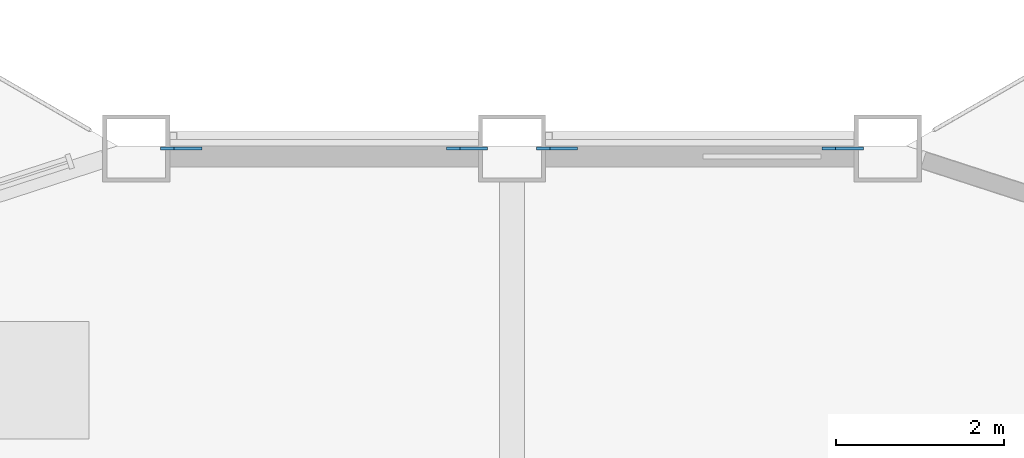
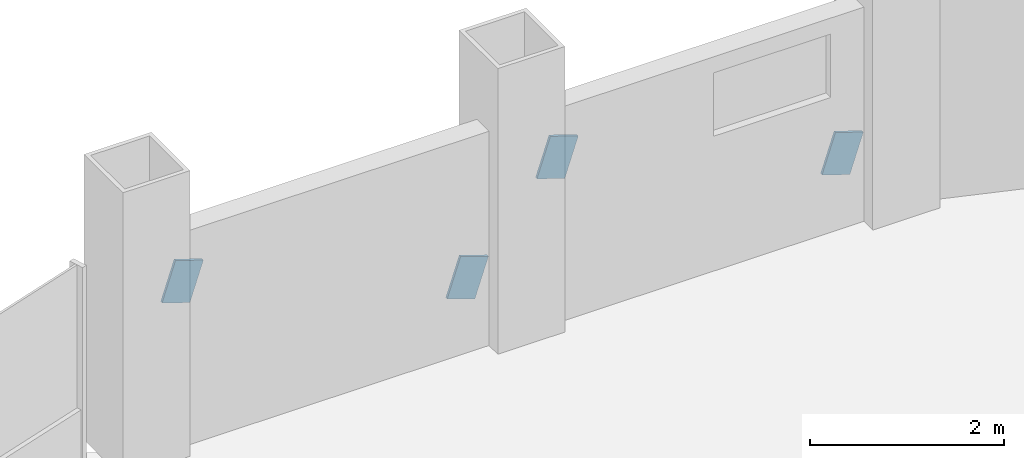
# One storey, part 19 of 24: 4 discrete accessories.
"""IFC4 building model written with IfcOpenShell, lengths in metres."""

import ifcopenshell
import ifcopenshell.guid

model = None  # the IFC model being written
_history = None  # IfcOwnerHistory: only IFC2X3 demands one
_inside = {}  # id of a spatial element -> (the spatial element, [elements in it])
_under = {}  # id of a project, library or spatial element -> (it, [spatial elements below it])
_declared = {}  # id of a project -> (the project, [libraries it declares])
_typed = {}  # id of a type object -> (the type object, [elements of that type])
_made_of = {}  # id of a material, layer set ... -> (it, [elements and type objects made of it])


def new_model(schema):
    """Start an empty IFC model of exactly this schema.

    Asked for "IFC4X3", IfcOpenShell would pick the latest addendum, in which some entities
    have other attributes; the version numbers below select the first issue.
    IFC2X3 requires an IfcOwnerHistory on every rooted entity: one is made here for all.
    """
    global model, _history
    if schema == "IFC4X3":
        model = ifcopenshell.file(schema_version=(4, 3, 0, 0))
    else:
        model = ifcopenshell.file(schema=schema)
    _inside.clear()
    _under.clear()
    _declared.clear()
    _typed.clear()
    _made_of.clear()
    _history = None
    if model.schema == "IFC2X3":
        org = make("IfcOrganization", Name="unknown")
        user = make(
            "IfcPersonAndOrganization",
            ThePerson=make("IfcPerson", FamilyName="unknown"),
            TheOrganization=org,
        )
        app = make(
            "IfcApplication",
            ApplicationDeveloper=org,
            Version="unknown",
            ApplicationFullName="unknown",
            ApplicationIdentifier="unknown",
        )
        _history = make(
            "IfcOwnerHistory",
            OwningUser=user,
            OwningApplication=app,
            ChangeAction="ADDED",
            CreationDate=0,
        )
    return model


def make(cls, **values):
    """One entity of the class cls with the attributes given. An attribute that is None is left unset."""
    return model.create_entity(
        cls, **{name: value for name, value in values.items() if value is not None}
    )


def rooted(cls, **values):
    """An entity with a GlobalId (a new one), such as an element, a storey or a relation."""
    return make(cls, GlobalId=ifcopenshell.guid.new(), OwnerHistory=_history, **values)


def si_unit(unit_type, name, prefix=None):
    """IfcSIUnit, for example si_unit("LENGTHUNIT", "METRE", prefix="MILLI")."""
    return make("IfcSIUnit", UnitType=unit_type, Prefix=prefix, Name=name)


def assignment(units):
    """IfcUnitAssignment: the units of a project."""
    return None if units is None else make("IfcUnitAssignment", Units=units)


def point(xyz):
    """IfcCartesianPoint."""
    return None if xyz is None else make("IfcCartesianPoint", Coordinates=xyz)


def direction(xyz):
    """IfcDirection."""
    return None if xyz is None else make("IfcDirection", DirectionRatios=xyz)


def frame(location, z_axis=None, x_axis=None):
    """IfcAxis2Placement3D, a coordinate frame: its origin and axes. An axis left out is left unset."""
    return make(
        "IfcAxis2Placement3D",
        Location=point(location),
        Axis=direction(z_axis),
        RefDirection=direction(x_axis),
    )


def frame_2d(location, x_axis=None):
    """IfcAxis2Placement2D, a coordinate frame in the plane: its origin and x axis."""
    return make(
        "IfcAxis2Placement2D", Location=point(location), RefDirection=direction(x_axis)
    )


def origin():
    """The frame at (0, 0, 0) with its axes left unset."""
    return frame((0.0, 0.0, 0.0))


def origin_2d():
    """The frame at (0, 0) in the plane with its x axis left unset."""
    return frame_2d((0.0, 0.0))


def place(relative_to, where):
    """IfcLocalPlacement: puts the frame where relative to a parent placement (None: the world)."""
    return make(
        "IfcLocalPlacement", PlacementRelTo=relative_to, RelativePlacement=where
    )


def context(
    kind, dimensions, precision=None, world=None, true_north=None, identifier=None
):
    """IfcGeometricRepresentationContext, for example the 3D "Model" context."""
    return make(
        "IfcGeometricRepresentationContext",
        ContextIdentifier=identifier,
        ContextType=kind,
        CoordinateSpaceDimension=dimensions,
        Precision=precision,
        WorldCoordinateSystem=world,
        TrueNorth=true_north,
    )


def subcontext(parent, identifier, kind, view, scale=None):
    """IfcGeometricRepresentationSubContext, for example "Body" below "Model"."""
    return make(
        "IfcGeometricRepresentationSubContext",
        ContextIdentifier=identifier,
        ContextType=kind,
        ParentContext=parent,
        TargetScale=scale,
        TargetView=view,
    )


def project(units=None, contexts=None):
    """IfcProject with its units and contexts."""
    return rooted(
        "IfcProject",
        Name="project",
        RepresentationContexts=contexts,
        UnitsInContext=assignment(units),
    )


def spatial(cls, under=None, at=None, **own):
    """A site, building, storey or space (cls), placed at a placement, below another one or the project."""
    s = rooted(cls, ObjectPlacement=at, **own)
    if under is not None:
        _under.setdefault(under.id(), (under, []))[1].append(s)
    return s


def profile(cls, at=None, kind="AREA", **sizes):
    """A parametric profile (cls). Its sizes go by their IFC names, for example OverallWidth=200.0."""
    return make(cls, ProfileType=kind, Position=at, **sizes)


def rectangle(**sizes):
    """IfcRectangleProfileDef."""
    return profile("IfcRectangleProfileDef", **sizes)


def extrude(swept, where, along, depth):
    """IfcExtrudedAreaSolid: the profile swept, set in the frame where, extruded along a direction by depth."""
    return make(
        "IfcExtrudedAreaSolid",
        SweptArea=swept,
        Position=where,
        ExtrudedDirection=direction(along),
        Depth=depth,
    )


def shape(context_of_items, identifier, shape_type, items):
    """IfcShapeRepresentation: the items that make up one representation, for example the "Body"."""
    return make(
        "IfcShapeRepresentation",
        ContextOfItems=context_of_items,
        RepresentationIdentifier=identifier,
        RepresentationType=shape_type,
        Items=items,
    )


def material(Name=None, Category=None):
    """IfcMaterial."""
    return make("IfcMaterial", Name=Name, Category=Category)


def material_profile(
    of_material, cross_section, Name=None, Category=None, Priority=None
):
    """IfcMaterialProfile: a cross section and its material."""
    return make(
        "IfcMaterialProfile",
        Name=Name,
        Material=of_material,
        Profile=cross_section,
        Priority=Priority,
        Category=Category,
    )


def profile_set(profiles, Name=None, composite=None):
    """IfcMaterialProfileSet."""
    return make(
        "IfcMaterialProfileSet",
        Name=Name,
        MaterialProfiles=profiles,
        CompositeProfile=composite,
    )


def made_of(thing, what):
    """Note that an element or type object is made of a material, layer set ...; save() writes the relation."""
    if what is not None:
        _made_of.setdefault(what.id(), (what, []))[1].append(thing)
    return thing


def type_object(cls, material=None, **own):
    """A type object (cls), such as IfcWallType, which elements share."""
    return made_of(rooted(cls, **own), material)


def element(
    cls,
    number,
    at=None,
    inside=None,
    cuts=None,
    type_object=None,
    material=None,
    context=None,
    identifier="Body",
    shape_type=None,
    held_by="IfcProductDefinitionShape",
    body=None,
    shapes=None,
    **own,
):
    """One element of the class cls, such as IfcWall. Its Tag is "e" and its number.

    at: its placement. inside: the storey or other place that contains it. cuts: it is an
    opening in that element (IfcRelVoidsElement). A single representation is given by context,
    identifier, shape_type and body (its items); several are given by shapes. held_by: the class
    of the entity that holds the representations. save() writes the other relations.
    """
    e = rooted(cls, Tag="e%d" % number, ObjectPlacement=at, **own)
    if body is not None:
        shapes = [shape(context, identifier, shape_type, body)]
    if shapes is not None:
        e.Representation = make(held_by, Representations=shapes)
    if inside is not None:
        _inside.setdefault(inside.id(), (inside, []))[1].append(e)
    if cuts is not None:
        rooted(
            "IfcRelVoidsElement", RelatingBuildingElement=cuts, RelatedOpeningElement=e
        )
    if type_object is not None:
        _typed.setdefault(type_object.id(), (type_object, []))[1].append(e)
    return made_of(e, material)


def aggregate(whole, parts):
    """IfcRelAggregates: a whole, such as a stair, and the parts it consists of."""
    return rooted("IfcRelAggregates", RelatingObject=whole, RelatedObjects=parts)


def save(model, path):
    """Write the relations noted so far, then the file.

    IfcRelAggregates (storeys below a building ...), IfcRelContainedInSpatialStructure (elements
    in a storey), IfcRelDefinesByType, IfcRelAssociatesMaterial and IfcRelDeclares: one each for
    every whole, place, type object, material and project.
    """
    for whole, parts in _under.values():
        aggregate(whole, parts)
    for where, things in _inside.values():
        rooted(
            "IfcRelContainedInSpatialStructure",
            RelatedElements=things,
            RelatingStructure=where,
        )
    for kind, things in _typed.values():
        rooted("IfcRelDefinesByType", RelatedObjects=things, RelatingType=kind)
    for what, things in _made_of.values():
        rooted("IfcRelAssociatesMaterial", RelatedObjects=things, RelatingMaterial=what)
    for by, libraries in _declared.values():
        rooted("IfcRelDeclares", RelatingContext=by, RelatedDefinitions=libraries)
    model.write(path)


model = new_model("IFC4")

# Units and contexts
model_context = context("Model", 3, precision=1e-05, world=origin(), true_north=direction((0.0, 1.0)))
body_context = subcontext(model_context, "Body", "Model", "MODEL_VIEW")
ifc_project = project(units=[si_unit("LENGTHUNIT", "METRE"), si_unit("AREAUNIT", "SQUARE_METRE"), si_unit("VOLUMEUNIT", "CUBIC_METRE"), si_unit("PLANEANGLEUNIT", "RADIAN"), si_unit("MASSUNIT", "GRAM", prefix="KILO")], contexts=[model_context])

# Site, building, storey
site_placement = place(None, origin())
site = spatial("IfcSite", under=ifc_project, at=site_placement, CompositionType="ELEMENT")
building_placement = place(site_placement, origin())
building = spatial("IfcBuilding", under=site, at=building_placement, Name="Cormorant Prow Tower", CompositionType="ELEMENT")
storey_placement = place(building_placement, frame((0.0, 0.0, 205.199951171875)))
storey = spatial("IfcBuildingStorey", under=building, at=storey_placement, Name="L45", CompositionType="ELEMENT", Elevation=205.199951171875)

# Discrete accessories
ifc_material = material(Name="Structural steel ASTM A500 Gr C", Category="steel")
ifc_material_profile = material_profile(ifc_material, rectangle(XDim=0.031982421875, YDim=0.506103515625, at=origin_2d()), Name="Gusset plate 32x506")
ifc_profile_set = profile_set([ifc_material_profile], Name="Structural steel ASTM A500 Gr C")
discrete_accessory_type = type_object("IfcDiscreteAccessoryType", Name="Gusset plate 32x506", PredefinedType="BRACKET", material=ifc_profile_set)
discrete_accessory_1_placement = place(storey_placement, frame((3.768798828125, 32.3994140625, 0.835693359375), z_axis=(0.947843027885, 0.0, -0.318737500915), x_axis=(0.0, 1.0, 0.0)))
element("IfcDiscreteAccessory", 1, at=discrete_accessory_1_placement, inside=storey, type_object=discrete_accessory_type, Name="Gusset plate GP2 L45.N00.g0", PredefinedType="BRACKET", context=body_context, shape_type="SweptSolid", body=[
    extrude(rectangle(XDim=0.031982421875, YDim=0.506103515625, at=origin_2d()), origin(), (0.0, 0.0, 1.0), 0.35009765625),
])
discrete_accessory_2_placement = place(storey_placement, frame((0.701416015625, 32.3994140625, 1.865478515625), z_axis=(-0.948053578163, 0.0, 0.318110692893), x_axis=(0.0, -1.0, 0.0)))
element("IfcDiscreteAccessory", 2, at=discrete_accessory_2_placement, inside=storey, type_object=discrete_accessory_type, Name="Gusset plate GP2 L45.N00.g1", PredefinedType="BRACKET", context=body_context, shape_type="SweptSolid", body=[
    extrude(rectangle(XDim=0.031982421875, YDim=0.506103515625, at=origin_2d()), origin(), (0.0, 0.0, 1.0), 0.349853515625),
])
discrete_accessory_3_placement = place(storey_placement, frame((-0.701416015625, 32.3994140625, 0.835693359375), z_axis=(0.947843027885, 0.0, -0.318737500915), x_axis=(0.0, 1.0, 0.0)))
element("IfcDiscreteAccessory", 3, at=discrete_accessory_3_placement, inside=storey, type_object=discrete_accessory_type, Name="Gusset plate GP2 L45.N01.g0", PredefinedType="BRACKET", context=body_context, shape_type="SweptSolid", body=[
    extrude(rectangle(XDim=0.031982421875, YDim=0.506103515625, at=origin_2d()), origin(), (0.0, 0.0, 1.0), 0.35009765625),
])
discrete_accessory_4_placement = place(storey_placement, frame((-3.768798828125, 32.3994140625, 1.865478515625), z_axis=(-0.948053578163, 0.0, 0.318110692893), x_axis=(0.0, -1.0, 0.0)))
element("IfcDiscreteAccessory", 4, at=discrete_accessory_4_placement, inside=storey, type_object=discrete_accessory_type, Name="Gusset plate GP2 L45.N01.g1", PredefinedType="BRACKET", context=body_context, shape_type="SweptSolid", body=[
    extrude(rectangle(XDim=0.031982421875, YDim=0.506103515625, at=origin_2d()), origin(), (0.0, 0.0, 1.0), 0.349853515625),
])

save(model, "model.ifc")
